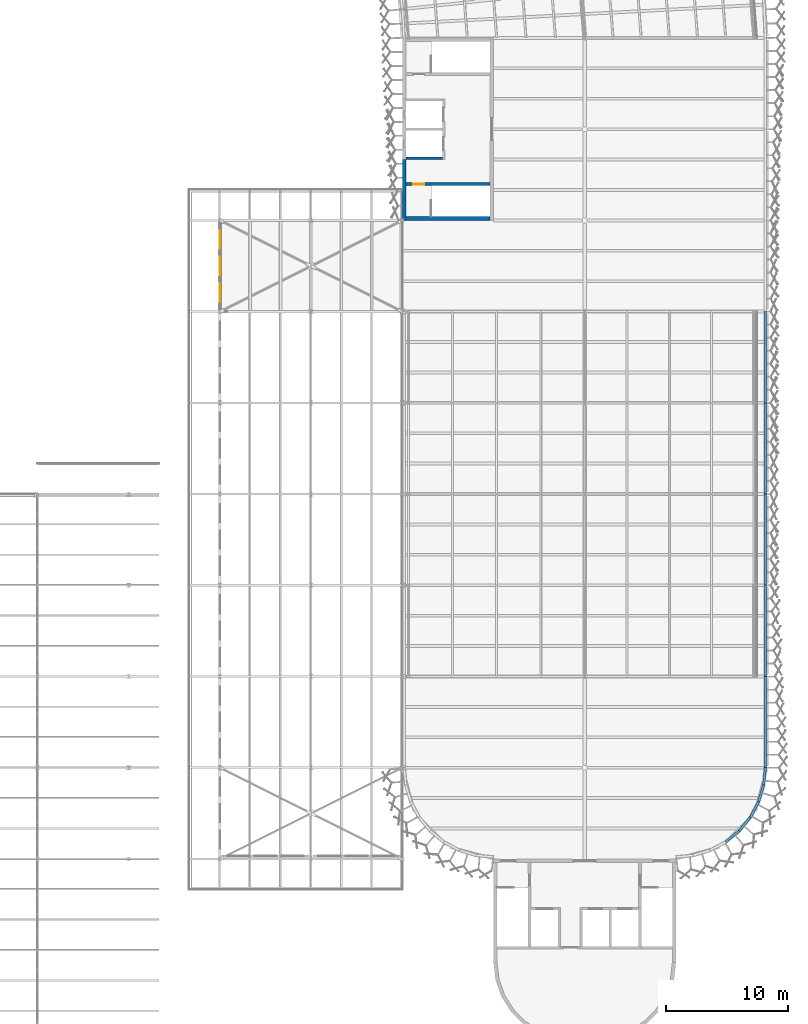
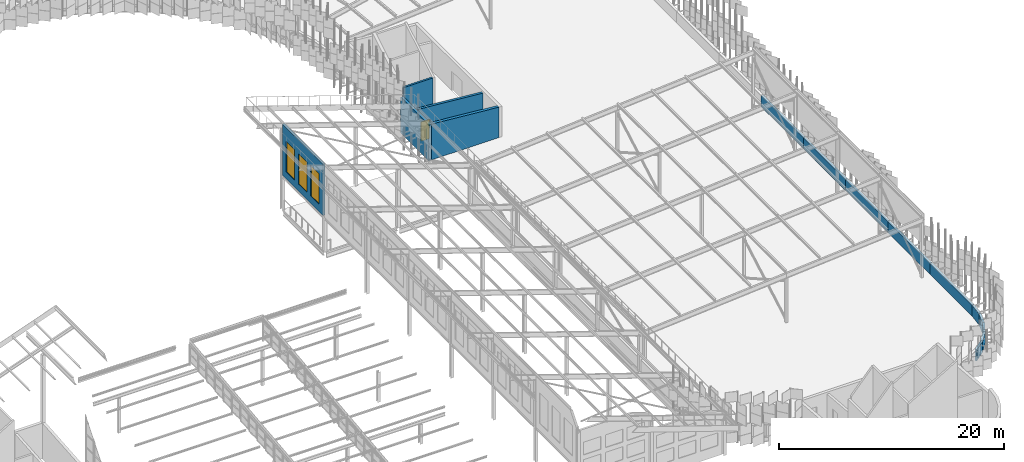
# One storey, part 123 of 483: 15 walls, 3 windows, 1 door, 4 openings.
"""IFC4 building model written with IfcOpenShell, lengths in metres."""

from ifc_helpers import new_model, si_unit, direction, frame, frame_2d, origin, place, context, subcontext, project, spatial, polyline, rectangle, outline, extrude, material, layer, layer_set, type_object, element, fill, save


model = new_model("IFC4")

# Units and contexts
model_context = context("Model", 3, precision=1e-05, world=origin(), true_north=direction((0.0, 1.0)))
body_context = subcontext(model_context, "Body", "Model", "MODEL_VIEW")
ifc_project = project(units=[si_unit("LENGTHUNIT", "METRE"), si_unit("AREAUNIT", "SQUARE_METRE"), si_unit("VOLUMEUNIT", "CUBIC_METRE"), si_unit("PLANEANGLEUNIT", "RADIAN"), si_unit("MASSUNIT", "GRAM", prefix="KILO")], contexts=[model_context])

# Site, building, storey
site_placement = place(None, origin())
site = spatial("IfcSite", under=ifc_project, at=site_placement, CompositionType="ELEMENT")
building_placement = place(site_placement, origin())
building = spatial("IfcBuilding", under=site, at=building_placement, Name="Parallax Yard Mobility Hub", CompositionType="ELEMENT")
storey_placement = place(building_placement, frame((0.0, 0.0, 13.199951171875)))
storey = spatial("IfcBuildingStorey", under=building, at=storey_placement, Name="L04", CompositionType="ELEMENT", Elevation=13.199951171875)

# Walls
ifc_material_1 = material(Name="Concrete fc' 35 MPa", Category="concrete")
ifc_layer_1 = layer(ifc_material_1, 0.300048828125)
ifc_layer_set_1 = layer_set([ifc_layer_1], Name="Concrete fc' 35 MPa core wall 300")
wall_type_1 = type_object("IfcWallType", Name="Concrete fc' 35 MPa core wall 300", PredefinedType="SHEAR", material=ifc_layer_set_1)
wall_1_placement = place(storey_placement, frame((195.14990234375, 75.0, 0.0), z_axis=(0.0, 0.0, 1.0), x_axis=(0.0, 1.0, 0.0)))
element("IfcWall", 1, at=wall_1_placement, inside=storey, type_object=wall_type_1, Name="Core C-E back wall part 1 level L04", PredefinedType="SHEAR", context=body_context, shape_type="SweptSolid", body=[
    extrude(rectangle(XDim=5.0, YDim=0.300048828125, at=frame_2d((2.5, 0.0))), origin(), (0.0, 0.0, 1.0), 3.875),
])
wall_2_placement = place(storey_placement, frame((202.199951171875, 75.14990234375, 0.0), z_axis=(0.0, 0.0, 1.0), x_axis=(-1.0, 0.0, 0.0)))
element("IfcWall", 2, at=wall_2_placement, inside=storey, type_object=wall_type_1, Name="Core C-E west-side end wall level L04", PredefinedType="SHEAR", context=body_context, shape_type="SweptSolid", body=[
    extrude(outline(polyline([(0.0, 0.0), (6.89990234375, 0.0), (6.89990234375, 3.875), (0.0, 3.300048828125), (0.0, 0.0)])), frame((0.0, 0.14990234375, 0.0), z_axis=(0.0, -1.0, 0.0), x_axis=(1.0, 0.0, 0.0)), (0.0, 0.0, 1.0), 0.300048828125),
])
ifc_layer_2 = layer(ifc_material_1, 0.199951171875)
ifc_layer_set_2 = layer_set([ifc_layer_2], Name="Concrete fc' 35 MPa internal core wall 200")
wall_type_2 = type_object("IfcWallType", Name="Concrete fc' 35 MPa internal core wall 200", PredefinedType="STANDARD", material=ifc_layer_set_2)
wall_3_placement = place(storey_placement, frame((198.300048828125, 80.10009765625, 0.0), z_axis=(0.0, 0.0, 1.0), x_axis=(-1.0, 0.0, 0.0)))
element("IfcWall", 3, at=wall_3_placement, inside=storey, type_object=wall_type_2, Name="Core C-E lift wall 1 part 1 level L04", PredefinedType="STANDARD", context=body_context, shape_type="SweptSolid", body=[
    extrude(rectangle(XDim=3.0, YDim=0.199951171875, at=frame_2d((1.5, 0.0))), origin(), (0.0, 0.0, 1.0), 4.800048828125),
])

# Wall, opening, door
ifc_layer_3 = layer(ifc_material_1, 0.25)
ifc_layer_set_3 = layer_set([ifc_layer_3], Name="Concrete fc' 35 MPa stair enclosure wall 250")
wall_type_3 = type_object("IfcWallType", Name="Concrete fc' 35 MPa stair enclosure wall 250", PredefinedType="STANDARD", material=ifc_layer_set_3)
wall_4_placement = place(storey_placement, frame((202.199951171875, 77.97509765625, 0.0), z_axis=(0.0, 0.0, 1.0), x_axis=(-1.0, 0.0, 0.0)))
wall_4 = element("IfcWall", 4, at=wall_4_placement, inside=storey, type_object=wall_type_3, Name="Core C-E stair 1 partition level L04", PredefinedType="STANDARD", context=body_context, shape_type="SweptSolid", body=[
    extrude(outline(polyline([(0.0, 0.0), (6.89990234375, 0.0), (6.89990234375, 3.675048828125), (0.0, 3.10009765625), (0.0, 0.0)])), frame((0.0, 0.125, 0.0), z_axis=(0.0, -1.0, 0.0), x_axis=(1.0, 0.0, 0.0)), (0.0, 0.0, 1.0), 0.25),
])
opening_1_placement = place(wall_4_placement, frame((5.39990234375, 0.0, 0.0)))
opening_1 = element("IfcOpeningElement", 5, at=opening_1_placement, cuts=wall_4, Name="Opening L04-D720", PredefinedType="OPENING", context=body_context, shape_type="SweptSolid", body=[
    extrude(rectangle(XDim=0.89990234375, YDim=2.10009765625, at=frame_2d((0.449951171875, 1.050048828125))), frame((0.0, 0.135009765625, 0.0), z_axis=(0.0, -1.0, 0.0), x_axis=(1.0, 0.0, 0.0)), (0.0, 0.0, 1.0), 0.27001953125),
])
ifc_material_2 = material(Name="Hollow metal steel door and frame", Category="steel")
door_type = type_object("IfcDoorType", Name="Core door 900 x 2100 FD90", OperationType="NOTDEFINED", PredefinedType="DOOR", material=ifc_material_2)
door_placement = place(opening_1_placement, origin())
door = element("IfcDoor", 6, at=door_placement, inside=storey, type_object=door_type, Name="Stair lobby door L04-D720, core C-E level L04", OperationType="SINGLE_SWING_LEFT", OverallHeight=2.10009765625, OverallWidth=0.89990234375, PredefinedType="DOOR", context=body_context, shape_type="SweptSolid", body=[
    extrude(rectangle(XDim=0.89990234375, YDim=2.10009765625, at=frame_2d((0.449951171875, 1.050048828125))), frame((0.0, 0.02490234375, 0.0), z_axis=(0.0, -1.0, 0.0), x_axis=(1.0, 0.0, 0.0)), (0.0, 0.0, 1.0), 0.050048828125),
])
fill(opening_1, door)

# Wall, openings, windows
ifc_layer_4 = layer(ifc_material_1, 0.199951171875)
ifc_layer_set_4 = layer_set([ifc_layer_4], Name="Louvre screen wall, Concrete fc' 35 MPa precast, 200")
wall_type_4 = type_object("IfcWallType", Name="Louvre screen wall, Concrete fc' 35 MPa precast, 200", PredefinedType="SOLIDWALL", material=ifc_layer_set_4)
wall_5_placement = place(storey_placement, frame((180.0, 67.653564453125, 3.800048828125), z_axis=(0.0, 0.0, 1.0), x_axis=(0.0, 1.0, 0.0)))
wall_5 = element("IfcWall", 7, at=wall_5_placement, inside=storey, type_object=wall_type_4, Name="Ramp house west clerestory louvre band bay 7 level L04", PredefinedType="SOLIDWALL", context=body_context, shape_type="SweptSolid", body=[
    extrude(rectangle(XDim=7.19287109375, YDim=0.199951171875, at=frame_2d((3.596435546875, 0.0))), origin(), (0.0, 0.0, 1.0), 5.57421875),
])
opening_2_placement = place(wall_5_placement, frame((0.67333984375, 0.0, 0.800048828125)))
opening_2 = element("IfcOpeningElement", 8, at=opening_2_placement, cuts=wall_5, Name="Opening LV1", PredefinedType="OPENING", context=body_context, shape_type="SweptSolid", body=[
    extrude(rectangle(XDim=1.5, YDim=3.300048828125, at=frame_2d((0.75, 1.64990234375))), frame((0.0, 0.10986328125, 0.0), z_axis=(0.0, -1.0, 0.0), x_axis=(1.0, 0.0, 0.0)), (0.0, 0.0, 1.0), 0.219970703125),
])
opening_3_placement = place(wall_5_placement, frame((2.846435546875, 0.0, 0.800048828125)))
opening_3 = element("IfcOpeningElement", 9, at=opening_3_placement, cuts=wall_5, Name="Opening LV1", PredefinedType="OPENING", context=body_context, shape_type="SweptSolid", body=[
    extrude(rectangle(XDim=1.5, YDim=3.300048828125, at=frame_2d((0.75, 1.64990234375))), frame((0.0, 0.10986328125, 0.0), z_axis=(0.0, -1.0, 0.0), x_axis=(1.0, 0.0, 0.0)), (0.0, 0.0, 1.0), 0.219970703125),
])
opening_4_placement = place(wall_5_placement, frame((5.019775390625, 0.0, 0.800048828125)))
opening_4 = element("IfcOpeningElement", 10, at=opening_4_placement, cuts=wall_5, Name="Opening LV1", PredefinedType="OPENING", context=body_context, shape_type="SweptSolid", body=[
    extrude(rectangle(XDim=1.5, YDim=3.300048828125, at=frame_2d((0.75, 1.64990234375))), frame((0.0, 0.10986328125, 0.0), z_axis=(0.0, -1.0, 0.0), x_axis=(1.0, 0.0, 0.0)), (0.0, 0.0, 1.0), 0.219970703125),
])
ifc_material_3 = material(Name="Extruded aluminium storm louvre blades in a powder-coated frame", Category="aluminium")
window_type = type_object("IfcWindowType", Name="Storm louvre 1500 x 3300", PartitioningType="SINGLE_PANEL", PredefinedType="WINDOW", material=ifc_material_3)
window_1_placement = place(opening_2_placement, origin())
window_1 = element("IfcWindow", 11, at=window_1_placement, inside=storey, type_object=window_type, Name="LV1 louvre level L04", OverallHeight=3.300048828125, OverallWidth=1.5, PartitioningType="SINGLE_PANEL", PredefinedType="WINDOW", context=body_context, shape_type="SweptSolid", body=[
    extrude(rectangle(XDim=1.5, YDim=3.300048828125, at=frame_2d((0.75, 1.64990234375))), frame((0.0, 0.030029296875, 0.0), z_axis=(0.0, -1.0, 0.0), x_axis=(1.0, 0.0, 0.0)), (0.0, 0.0, 1.0), 0.06005859375),
])
fill(opening_2, window_1)
window_2_placement = place(opening_3_placement, origin())
window_2 = element("IfcWindow", 12, at=window_2_placement, inside=storey, type_object=window_type, Name="LV1 louvre level L04", OverallHeight=3.300048828125, OverallWidth=1.5, PartitioningType="SINGLE_PANEL", PredefinedType="WINDOW", context=body_context, shape_type="SweptSolid", body=[
    extrude(rectangle(XDim=1.5, YDim=3.300048828125, at=frame_2d((0.75, 1.64990234375))), frame((0.0, 0.030029296875, 0.0), z_axis=(0.0, -1.0, 0.0), x_axis=(1.0, 0.0, 0.0)), (0.0, 0.0, 1.0), 0.06005859375),
])
fill(opening_3, window_2)
window_3_placement = place(opening_4_placement, origin())
window_3 = element("IfcWindow", 13, at=window_3_placement, inside=storey, type_object=window_type, Name="LV1 louvre level L04", OverallHeight=3.300048828125, OverallWidth=1.5, PartitioningType="SINGLE_PANEL", PredefinedType="WINDOW", context=body_context, shape_type="SweptSolid", body=[
    extrude(rectangle(XDim=1.5, YDim=3.300048828125, at=frame_2d((0.75, 1.64990234375))), frame((0.0, 0.030029296875, 0.0), z_axis=(0.0, -1.0, 0.0), x_axis=(1.0, 0.0, 0.0)), (0.0, 0.0, 1.0), 0.06005859375),
])
fill(opening_4, window_3)

# Walls
ifc_layer_5 = layer(ifc_material_1, 0.199951171875)
ifc_layer_set_5 = layer_set([ifc_layer_5], Name="Roof parapet wall, Concrete fc' 35 MPa precast, 200")
wall_type_5 = type_object("IfcWallType", Name="Roof parapet wall, Concrete fc' 35 MPa precast, 200", PredefinedType="SOLIDWALL", material=ifc_layer_set_5)
wall_6_placement = place(storey_placement, frame((221.597412109375, 23.89599609375, 0.0), z_axis=(0.0, 0.0, 1.0), x_axis=(0.772780616765, 0.634673237464, 0.0)))
element("IfcWall", 14, at=wall_6_placement, inside=storey, type_object=wall_type_5, Name="Roof parapet wall bay 32-4 level L04", PredefinedType="SOLIDWALL", context=body_context, shape_type="SweptSolid", body=[
    extrude(rectangle(XDim=1.416015625, YDim=0.199951171875, at=frame_2d((0.7080078125, 0.0))), origin(), (0.0, 0.0, 1.0), 1.199951171875),
])
wall_7_placement = place(storey_placement, frame((222.709228515625, 24.812255859375, 0.0), z_axis=(0.0, 0.0, 1.0), x_axis=(0.634195056408, 0.773173092152, 0.0)))
element("IfcWall", 15, at=wall_7_placement, inside=storey, type_object=wall_type_5, Name="Roof parapet wall bay 32-5 level L04", PredefinedType="SOLIDWALL", context=body_context, shape_type="SweptSolid", body=[
    extrude(rectangle(XDim=1.415771484375, YDim=0.199951171875, at=frame_2d((0.7080078125, 0.0))), origin(), (0.0, 0.0, 1.0), 1.199951171875),
])
for number, where, z_axis, x_axis, name in (
    (16, (223.620849609375, 25.927490234375, 0.0), (0.0, 0.0, 1.0), (0.471187672655, 0.88203297962, 0.0), "Roof parapet wall bay 32-6 level L04"),
    (17, (224.297607421875, 27.199462890625, 0.0), (0.0, 0.0, 1.0), (0.290194028187, 0.956967829138, 0.0), "Roof parapet wall bay 32-7 level L04"),
):
    element("IfcWall", number, at=place(storey_placement, frame(where, z_axis=z_axis, x_axis=x_axis)), inside=storey, type_object=wall_type_5, Name=name, PredefinedType="SOLIDWALL", context=body_context, shape_type="SweptSolid", body=[
        extrude(rectangle(XDim=1.416015625, YDim=0.199951171875, at=frame_2d((0.7080078125, 0.0))), origin(), (0.0, 0.0, 1.0), 1.199951171875),
    ])
wall_8_placement = place(storey_placement, frame((224.71337890625, 28.57861328125, 0.0), z_axis=(0.0, 0.0, 1.0), x_axis=(0.097932592298, 0.9951930503, 0.0)))
element("IfcWall", 18, at=wall_8_placement, inside=storey, type_object=wall_type_5, Name="Roof parapet wall bay 32-8 level L04", PredefinedType="SOLIDWALL", context=body_context, shape_type="SweptSolid", body=[
    extrude(rectangle(XDim=1.430908203125, YDim=0.199951171875, at=frame_2d((0.71533203125, 0.0))), origin(), (0.0, 0.0, 1.0), 1.199951171875),
])
wall_9_placement = place(storey_placement, frame((224.85400390625, 30.01220703125, 0.0), z_axis=(0.0, 0.0, 1.0), x_axis=(0.0, 1.0, 0.0)))
element("IfcWall", 19, at=wall_9_placement, inside=storey, type_object=wall_type_5, Name="Roof parapet wall bay 33 level L04", PredefinedType="SOLIDWALL", context=body_context, shape_type="SweptSolid", body=[
    extrude(rectangle(XDim=7.486083984375, YDim=0.199951171875, at=frame_2d((3.7431640625, 0.0))), origin(), (0.0, 0.0, 1.0), 1.199951171875),
])
for number, where, z_axis, x_axis, name in (
    (20, (224.85400390625, 37.502197265625, 0.0), (0.0, 0.0, 1.0), (0.0, 1.0, 0.0), "Roof parapet wall bay 34 level L04"),
    (21, (224.85400390625, 45.002197265625, 0.0), (0.0, 0.0, 1.0), (0.0, 1.0, 0.0), "Roof parapet wall bay 35 level L04"),
    (22, (224.85400390625, 52.502197265625, 0.0), (0.0, 0.0, 1.0), (0.0, 1.0, 0.0), "Roof parapet wall bay 36 level L04"),
    (23, (224.85400390625, 60.002197265625, 0.0), (0.0, 0.0, 1.0), (0.0, 1.0, 0.0), "Roof parapet wall bay 37 level L04"),
):
    element("IfcWall", number, at=place(storey_placement, frame(where, z_axis=z_axis, x_axis=x_axis)), inside=storey, type_object=wall_type_5, Name=name, PredefinedType="SOLIDWALL", context=body_context, shape_type="SweptSolid", body=[
        extrude(rectangle(XDim=7.49609375, YDim=0.199951171875, at=frame_2d((3.748046875, 0.0))), origin(), (0.0, 0.0, 1.0), 1.199951171875),
    ])

save(model, "model.ifc")
